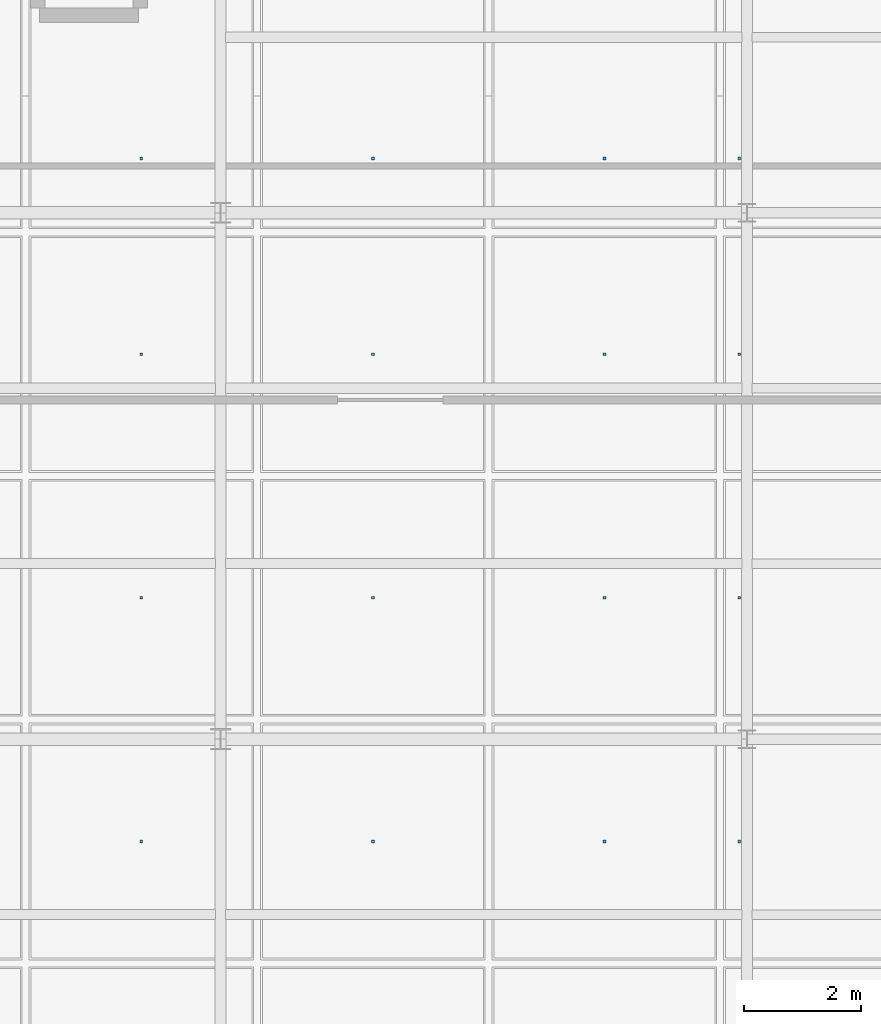
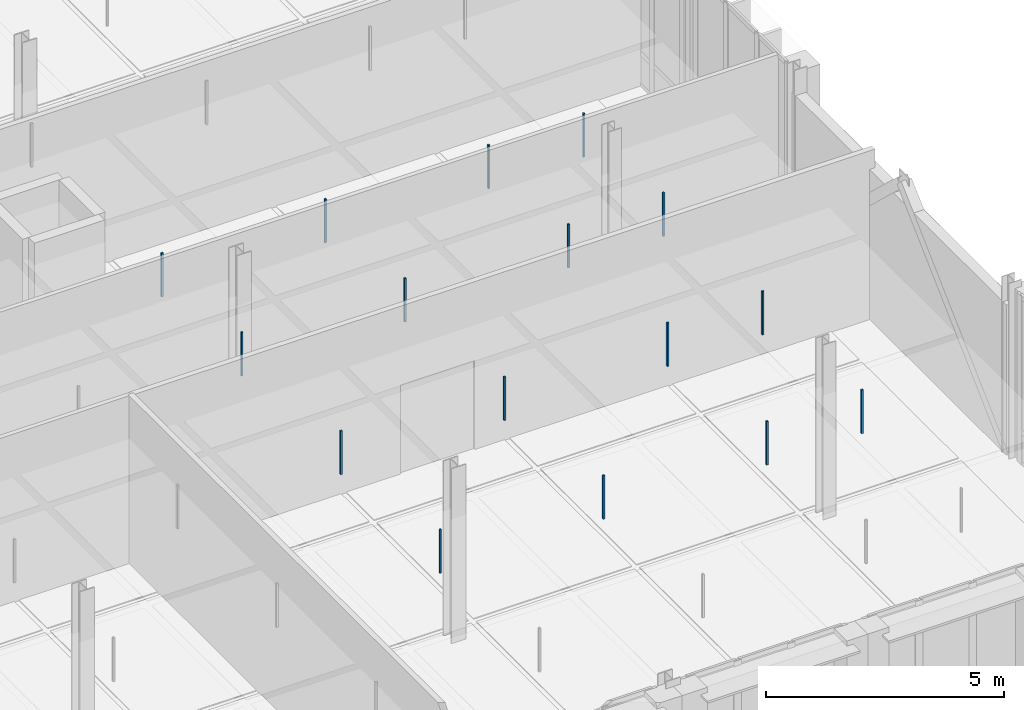
# One storey, part 113 of 130: 16 discrete accessories.
"""IFC4 building model written with IfcOpenShell, lengths in metres."""

from ifc_helpers import new_model, si_unit, direction, frame, origin, origin_2d, place, context, subcontext, project, spatial, rectangle, extrude, material, type_object, element, save


model = new_model("IFC4")

# Units and contexts
model_context = context("Model", 3, precision=1e-05, world=origin(), true_north=direction((0.0, 1.0)))
body_context = subcontext(model_context, "Body", "Model", "MODEL_VIEW")
ifc_project = project(units=[si_unit("LENGTHUNIT", "METRE"), si_unit("AREAUNIT", "SQUARE_METRE"), si_unit("VOLUMEUNIT", "CUBIC_METRE"), si_unit("PLANEANGLEUNIT", "RADIAN"), si_unit("MASSUNIT", "GRAM", prefix="KILO"), si_unit("THERMODYNAMICTEMPERATUREUNIT", "KELVIN"), si_unit("POWERUNIT", "WATT")], contexts=[model_context])

# Site, building, storey
site_placement = place(None, origin())
site = spatial("IfcSite", under=ifc_project, at=site_placement, CompositionType="ELEMENT")
building_placement = place(site_placement, origin())
building = spatial("IfcBuilding", under=site, at=building_placement, Name="Tallowbark Science Centre", CompositionType="ELEMENT")
storey_placement = place(building_placement, frame((0.0, 0.0, 5.39990234375)))
storey = spatial("IfcBuildingStorey", under=building, at=storey_placement, Name="L01", CompositionType="ELEMENT", Elevation=5.39990234375)

# Discrete accessories
ifc_material = material(Name="Galvanised Steel Grade C350L0 (350 MPa)", Category="steel")
discrete_accessory_type = type_object("IfcDiscreteAccessoryType", Name="ACC-CLG-HNG", PredefinedType="BRACKET", material=ifc_material)
for number, where, z_axis, x_axis, name in (
    (1, (147.145751953125, 79.25, 3.2060546875), (0.0, 0.0, 1.0), (1.0, 0.0, 0.0), "Ceiling Hanger Bracket L01-733"),
    (2, (147.145751953125, 83.416748046875, 3.2060546875), (0.0, 0.0, 1.0), (1.0, 0.0, 0.0), "Ceiling Hanger Bracket L01-734"),
    (3, (147.145751953125, 87.583251953125, 3.2060546875), (0.0, 0.0, 1.0), (1.0, 0.0, 0.0), "Ceiling Hanger Bracket L01-735"),
    (4, (147.145751953125, 90.92822265625, 3.2060546875), (0.0, 0.0, 1.0), (1.0, 0.0, 0.0), "Ceiling Hanger Bracket L01-736"),
    (5, (151.104248046875, 79.25, 3.2060546875), (0.0, 0.0, 1.0), (1.0, 0.0, 0.0), "Ceiling Hanger Bracket L01-742"),
    (6, (151.104248046875, 83.416748046875, 3.2060546875), (0.0, 0.0, 1.0), (1.0, 0.0, 0.0), "Ceiling Hanger Bracket L01-743"),
    (7, (151.104248046875, 87.583251953125, 3.2060546875), (0.0, 0.0, 1.0), (1.0, 0.0, 0.0), "Ceiling Hanger Bracket L01-744"),
    (8, (151.104248046875, 90.92822265625, 3.2060546875), (0.0, 0.0, 1.0), (1.0, 0.0, 0.0), "Ceiling Hanger Bracket L01-745"),
    (9, (155.0625, 79.25, 3.2060546875), (0.0, 0.0, 1.0), (1.0, 0.0, 0.0), "Ceiling Hanger Bracket L01-751"),
    (10, (155.0625, 83.416748046875, 3.2060546875), (0.0, 0.0, 1.0), (1.0, 0.0, 0.0), "Ceiling Hanger Bracket L01-752"),
    (11, (155.0625, 87.583251953125, 3.2060546875), (0.0, 0.0, 1.0), (1.0, 0.0, 0.0), "Ceiling Hanger Bracket L01-753"),
    (12, (155.0625, 90.92822265625, 3.2060546875), (0.0, 0.0, 1.0), (1.0, 0.0, 0.0), "Ceiling Hanger Bracket L01-754"),
    (13, (157.36572265625, 79.25, 3.2060546875), (0.0, 0.0, 1.0), (1.0, 0.0, 0.0), "Ceiling Hanger Bracket L01-760"),
    (14, (157.36572265625, 83.416748046875, 3.2060546875), (0.0, 0.0, 1.0), (1.0, 0.0, 0.0), "Ceiling Hanger Bracket L01-761"),
    (15, (157.36572265625, 87.583251953125, 3.2060546875), (0.0, 0.0, 1.0), (1.0, 0.0, 0.0), "Ceiling Hanger Bracket L01-762"),
    (16, (157.36572265625, 90.92822265625, 3.2060546875), (0.0, 0.0, 1.0), (1.0, 0.0, 0.0), "Ceiling Hanger Bracket L01-763"),
):
    element("IfcDiscreteAccessory", number, at=place(storey_placement, frame(where, z_axis=z_axis, x_axis=x_axis)), inside=storey, type_object=discrete_accessory_type, Name=name, PredefinedType="BRACKET", context=body_context, shape_type="SweptSolid", body=[
        extrude(rectangle(XDim=0.044921875, YDim=0.044921875, at=origin_2d()), origin(), (0.0, 0.0, 1.0), 1.116943359375),
    ])

save(model, "model.ifc")
